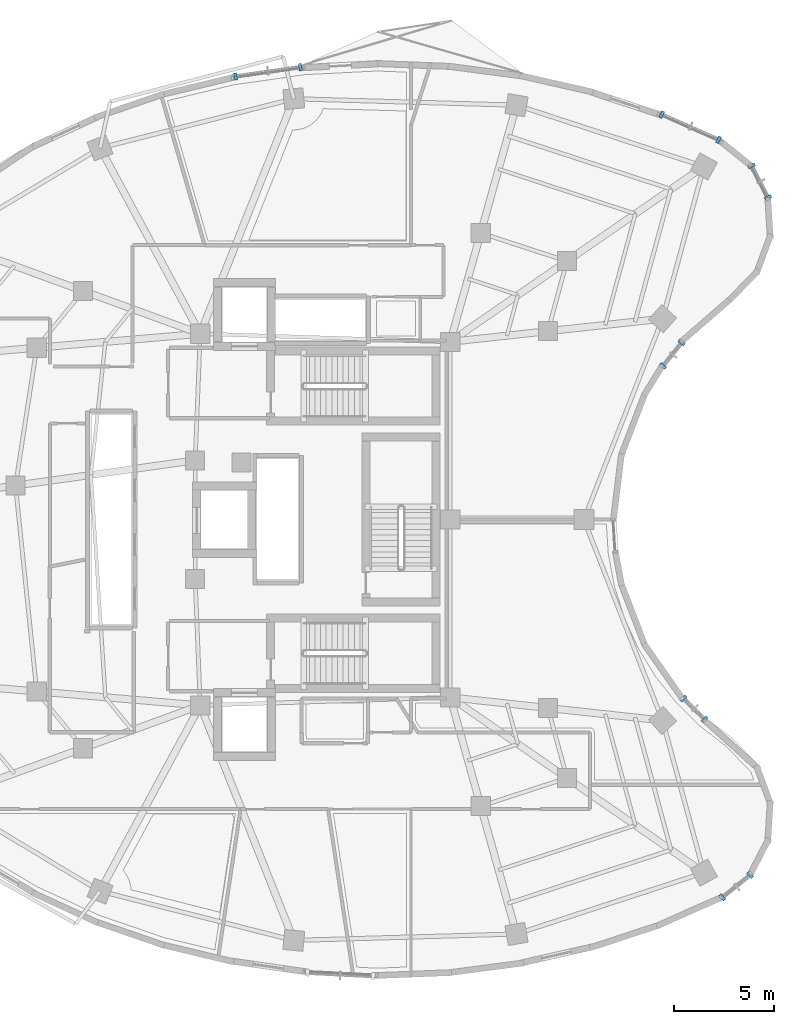
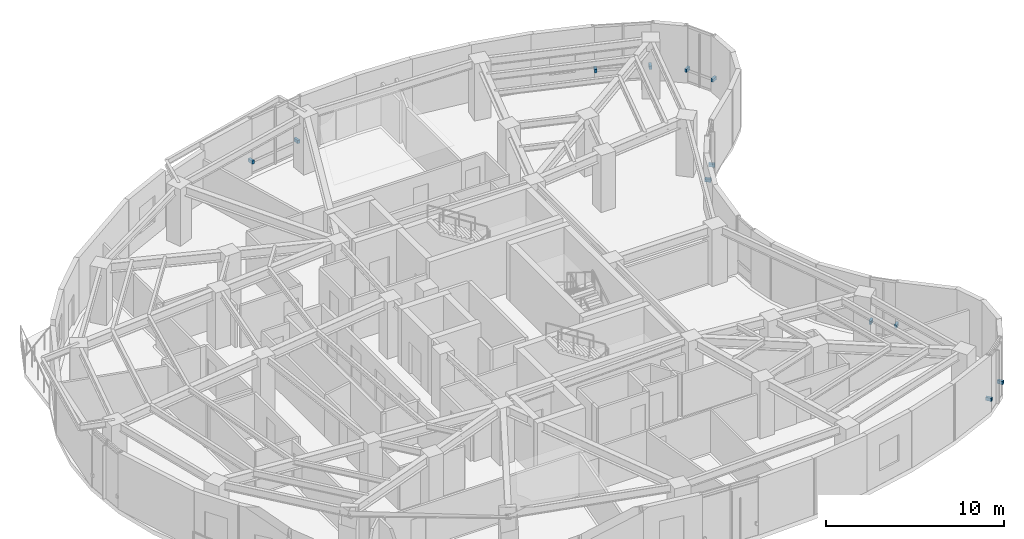
# One storey, part 12 of 15: 12 discrete accessories.
"""IFC4 building model written with IfcOpenShell, lengths in metres."""

from ifc_helpers import new_model, si_unit, direction, frame, origin, origin_2d, place, context, subcontext, project, spatial, rectangle, extrude, material, type_object, element, save


model = new_model("IFC4")

# Units and contexts
model_context = context("Model", 3, precision=1e-05, world=origin(), true_north=direction((0.0, 1.0)))
body_context = subcontext(model_context, "Body", "Model", "MODEL_VIEW")
ifc_project = project(units=[si_unit("LENGTHUNIT", "METRE"), si_unit("AREAUNIT", "SQUARE_METRE"), si_unit("VOLUMEUNIT", "CUBIC_METRE"), si_unit("PLANEANGLEUNIT", "RADIAN"), si_unit("MASSUNIT", "GRAM", prefix="KILO")], contexts=[model_context])

# Site, building, storey
site_placement = place(None, origin())
site = spatial("IfcSite", under=ifc_project, at=site_placement, CompositionType="ELEMENT")
building_placement = place(site_placement, origin())
building = spatial("IfcBuilding", under=site, at=building_placement, Name="Korentha Bioscience Tower", CompositionType="ELEMENT")
storey_placement = place(building_placement, frame((0.0, 0.0, 235.199951171875)))
storey = spatial("IfcBuildingStorey", under=building, at=storey_placement, Name="L54", CompositionType="ELEMENT", Elevation=235.199951171875)

# Discrete accessories
ifc_material = material(Name="Stainless Steel 316", Category="steel")
discrete_accessory_type = type_object("IfcDiscreteAccessoryType", Name="Stainless Steel Solar-Screen Outrigger Bracket", PredefinedType="BRACKET", material=ifc_material)
for number, where, z_axis, x_axis, name in (
    (1, (50.9072265625, 45.908203125, 0.740234375), (0.0, 0.0, 1.0), (-0.913943941578, 0.405840450983, 0.0), "CW-L54-01 Solar-Screen Support Bracket 1"),
    (2, (48.077392578125, 47.164794921875, 0.740234375), (0.0, 0.0, 1.0), (-0.913943941578, 0.405840450983, 0.0), "CW-L54-01 Solar-Screen Support Bracket 2"),
    (3, (30.085205078125, 49.523193359375, 0.740234375), (0.0, 0.0, 1.0), (-0.989901889134, -0.141754188259, 0.0), "CW-L54-07 Solar-Screen Support Bracket 1"),
    (4, (26.860595703125, 49.0615234375, 0.740234375), (0.0, 0.0, 1.0), (-0.989901889134, -0.141754188259, 0.0), "CW-L54-07 Solar-Screen Support Bracket 2"),
    (5, (51.10205078125, 8.197021484375, 0.740234375), (0.0, 0.0, 1.0), (0.779197616162, 0.626778330008, 0.0), "CW-L54-37 Solar-Screen Support Bracket 1"),
    (6, (52.481201171875, 9.306640625, 0.740234375), (0.0, 0.0, 1.0), (0.779197616162, 0.626778330008, 0.0), "CW-L54-37 Solar-Screen Support Bracket 2"),
    (7, (50.21484375, 17.0537109375, 0.740234375), (0.0, 0.0, 1.0), (-0.713258270268, 0.700901305388, 0.0), "CW-L54-43 Solar-Screen Support Bracket 1"),
    (8, (49.158447265625, 18.092041015625, 0.740234375), (0.0, 0.0, 1.0), (-0.713258270268, 0.700901305388, 0.0), "CW-L54-43 Solar-Screen Support Bracket 2"),
    (9, (48.145751953125, 34.648193359375, 0.740234375), (0.0, 0.0, 1.0), (0.622511989066, 0.782610262819, 0.0), "CW-L54-55 Solar-Screen Support Bracket 1"),
    (10, (49.06787109375, 35.8076171875, 0.740234375), (0.0, 0.0, 1.0), (0.622511989066, 0.782610262819, 0.0), "CW-L54-55 Solar-Screen Support Bracket 2"),
    (11, (53.3662109375, 43.034423828125, 0.740234375), (0.0, 0.0, 1.0), (-0.459738031963, 0.888054582763, 0.0), "CW-L54-61 Solar-Screen Support Bracket 1"),
    (12, (52.552490234375, 44.606201171875, 0.740234375), (0.0, 0.0, 1.0), (-0.459738031963, 0.888054582763, 0.0), "CW-L54-61 Solar-Screen Support Bracket 2"),
):
    element("IfcDiscreteAccessory", number, at=place(storey_placement, frame(where, z_axis=z_axis, x_axis=x_axis)), inside=storey, type_object=discrete_accessory_type, Name=name, PredefinedType="BRACKET", context=body_context, shape_type="SweptSolid", body=[
        extrude(rectangle(XDim=0.159912109375, YDim=0.360107421875, at=origin_2d()), origin(), (0.0, 0.0, 1.0), 0.219970703125),
    ])

save(model, "model.ifc")
